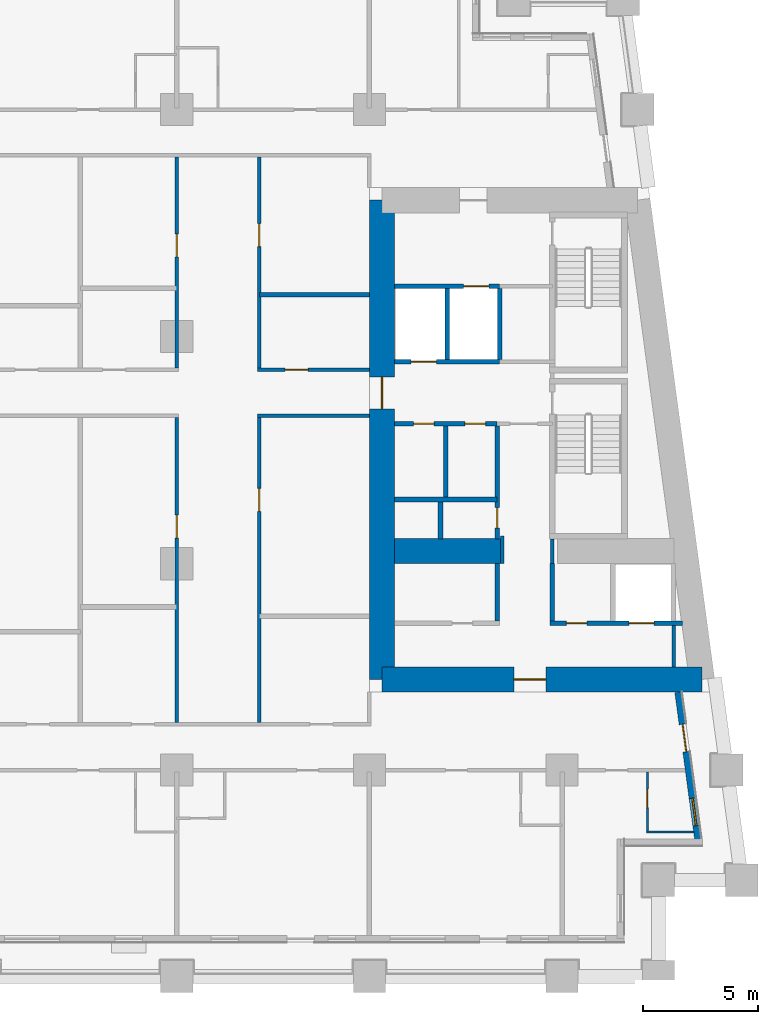
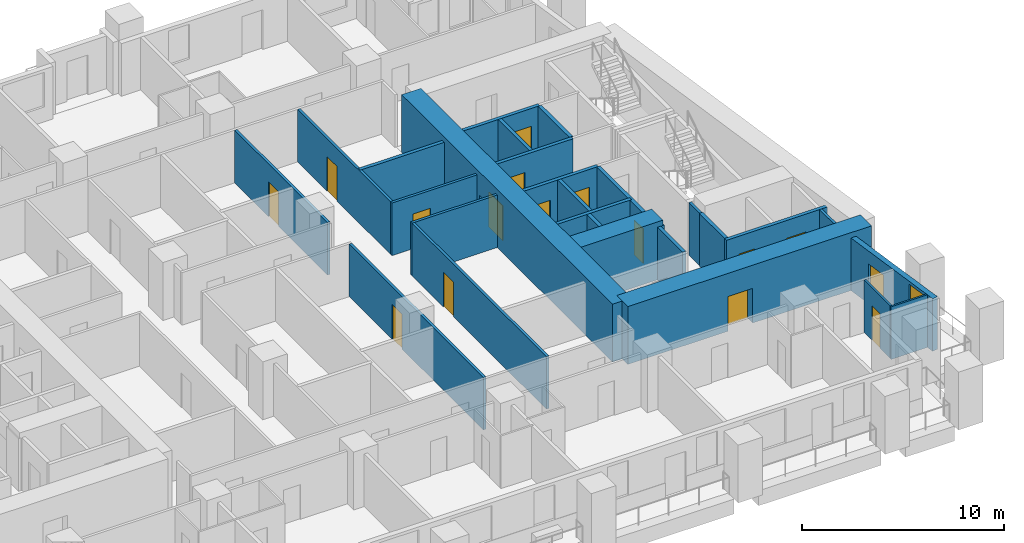
# One storey, part 5 of 13: 28 walls, 16 doors, 1 window, 17 openings.
"""IFC4 building model written with IfcOpenShell, lengths in metres."""

from ifc_helpers import new_model, si_unit, direction, frame, frame_2d, origin, place, context, subcontext, project, spatial, rectangle, extrude, material, layer, layer_set, type_object, element, fill, save


model = new_model("IFC4")

# Units and contexts
model_context = context("Model", 3, precision=1e-05, world=origin(), true_north=direction((0.0, 1.0)))
body_context = subcontext(model_context, "Body", "Model", "MODEL_VIEW")
ifc_project = project(units=[si_unit("LENGTHUNIT", "METRE"), si_unit("AREAUNIT", "SQUARE_METRE"), si_unit("VOLUMEUNIT", "CUBIC_METRE"), si_unit("PLANEANGLEUNIT", "RADIAN"), si_unit("MASSUNIT", "GRAM", prefix="KILO")], contexts=[model_context])

# Site, building, storey
site_placement = place(None, origin())
site = spatial("IfcSite", under=ifc_project, at=site_placement, CompositionType="ELEMENT")
building_placement = place(site_placement, origin())
building = spatial("IfcBuilding", under=site, at=building_placement, Name="Candeia Pilgrim Tower and Theatre", CompositionType="ELEMENT")
storey_placement = place(building_placement, frame((0.0, 0.0, 63.5)))
storey = spatial("IfcBuildingStorey", under=building, at=storey_placement, Name="L13", CompositionType="ELEMENT", Elevation=63.5)

# Wall, opening, door
ifc_material_1 = material(Name="Concrete C80/95", Category="concrete")
ifc_layer_1 = layer(ifc_material_1, 1.10009765625)
ifc_layer_set_1 = layer_set([ifc_layer_1], Name="Core wall 1100 C80/95")
wall_type_1 = type_object("IfcWallType", Name="Core wall 1100 C80/95", PredefinedType="SHEAR", material=ifc_layer_set_1)
wall_1_placement = place(storey_placement, frame((140.501708984375, 110.949951171875, 0.0), z_axis=(0.0, 0.0, 1.0), x_axis=(-1.0, 0.0, 0.0)))
wall_1 = element("IfcWall", 1, at=wall_1_placement, inside=storey, type_object=wall_type_1, Name="Core wall E3", PredefinedType="SHEAR", context=body_context, shape_type="SweptSolid", body=[
    extrude(rectangle(XDim=13.95166015625, YDim=1.10009765625, at=frame_2d((6.975830078125, 0.0))), origin(), (0.0, 0.0, 1.0), 3.5),
])
opening_1_placement = place(wall_1_placement, frame((6.80419921875, 0.0, 0.0)))
opening_1 = element("IfcOpeningElement", 2, at=opening_1_placement, cuts=wall_1, Name="Opening L13-D062", PredefinedType="OPENING", context=body_context, shape_type="SweptSolid", body=[
    extrude(rectangle(XDim=1.39990234375, YDim=2.10009765625, at=frame_2d((0.699951171875, 1.050048828125))), frame((0.0, 0.56005859375, 0.0), z_axis=(0.0, -1.0, 0.0), x_axis=(1.0, 0.0, 0.0)), (0.0, 0.0, 1.0), 1.1201171875),
])
ifc_material_2 = material(Name="Steel fire door set", Category="steel")
door_type_1 = type_object("IfcDoorType", Name="D-1400-FD60", OperationType="NOTDEFINED", PredefinedType="DOOR", material=ifc_material_2)
door_1_placement = place(opening_1_placement, origin())
door_1 = element("IfcDoor", 3, at=door_1_placement, inside=storey, type_object=door_type_1, Name="Door L13-D062", OperationType="SINGLE_SWING_LEFT", OverallHeight=2.10009765625, OverallWidth=1.39990234375, PredefinedType="DOOR", context=body_context, shape_type="SweptSolid", body=[
    extrude(rectangle(XDim=1.39990234375, YDim=2.10009765625, at=frame_2d((0.699951171875, 1.050048828125))), frame((0.0, 0.02490234375, 0.0), z_axis=(0.0, -1.0, 0.0), x_axis=(1.0, 0.0, 0.0)), (0.0, 0.0, 1.0), 0.050048828125),
])
fill(opening_1, door_1)

wall_2_placement = place(storey_placement, frame((126.550048828125, 110.949951171875, 0.0), z_axis=(0.0, 0.0, 1.0), x_axis=(0.0, 1.0, 0.0)))
wall_2 = element("IfcWall", 4, at=wall_2_placement, inside=storey, type_object=wall_type_1, Name="Core wall E4", PredefinedType="SHEAR", context=body_context, shape_type="SweptSolid", body=[
    extrude(rectangle(XDim=20.900146484375, YDim=1.10009765625, at=frame_2d((10.4501953125, 0.0))), origin(), (0.0, 0.0, 1.0), 3.5),
])
opening_2_placement = place(wall_2_placement, frame((11.800048828125, 0.0, 0.0)))
opening_2 = element("IfcOpeningElement", 5, at=opening_2_placement, cuts=wall_2, Name="Opening L13-D064", PredefinedType="OPENING", context=body_context, shape_type="SweptSolid", body=[
    extrude(rectangle(XDim=1.39990234375, YDim=2.10009765625, at=frame_2d((0.699951171875, 1.050048828125))), frame((0.0, 0.56005859375, 0.0), z_axis=(0.0, -1.0, 0.0), x_axis=(1.0, 0.0, 0.0)), (0.0, 0.0, 1.0), 1.1201171875),
])
door_2_placement = place(opening_2_placement, origin())
door_2 = element("IfcDoor", 6, at=door_2_placement, inside=storey, type_object=door_type_1, Name="Door L13-D064", OperationType="SINGLE_SWING_LEFT", OverallHeight=2.10009765625, OverallWidth=1.39990234375, PredefinedType="DOOR", context=body_context, shape_type="SweptSolid", body=[
    extrude(rectangle(XDim=1.39990234375, YDim=2.10009765625, at=frame_2d((0.699951171875, 1.050048828125))), frame((0.0, 0.02490234375, 0.0), z_axis=(0.0, -1.0, 0.0), x_axis=(1.0, 0.0, 0.0)), (0.0, 0.0, 1.0), 0.050048828125),
])
fill(opening_2, door_2)

# Wall
wall_3_placement = place(storey_placement, frame((127.10009765625, 116.550048828125, 0.0), z_axis=(0.0, 0.0, 1.0), x_axis=(1.0, 0.0, 0.0)))
element("IfcWall", 7, at=wall_3_placement, inside=storey, type_object=wall_type_1, Name="Core wall E5", PredefinedType="SHEAR", context=body_context, shape_type="SweptSolid", body=[
    extrude(rectangle(XDim=4.699951171875, YDim=1.10009765625, at=frame_2d((2.35009765625, 0.0))), origin(), (0.0, 0.0, 1.0), 3.5),
])

# Wall, openings, door, window
ifc_material_3 = material(Name="Ceramic block masonry", Category="masonry")
ifc_layer_2 = layer(ifc_material_3, 0.300048828125)
ifc_layer_set_2 = layer_set([ifc_layer_2], Name="EW1 glazing-line wall 300")
wall_type_2 = type_object("IfcWallType", Name="EW1 glazing-line wall 300", PredefinedType="SOLIDWALL", material=ifc_layer_set_2)
wall_4_placement = place(storey_placement, frame((140.34765625, 103.85009765625, 0.0), z_axis=(0.0, 0.0, 1.0), x_axis=(-0.133431549479, 0.991058031401, 0.0)))
wall_4 = element("IfcWall", 8, at=wall_4_placement, inside=storey, type_object=wall_type_2, Name="External wall L13-3.0", PredefinedType="SOLIDWALL", context=body_context, shape_type="SweptSolid", body=[
    extrude(rectangle(XDim=6.60888671875, YDim=0.300048828125, at=frame_2d((3.304443359375, 0.0))), origin(), (0.0, 0.0, 1.0), 3.179931640625),
])
opening_3_placement = place(wall_4_placement, frame((0.736572265625, 0.0, 0.89990234375)))
opening_3 = element("IfcOpeningElement", 9, at=opening_3_placement, cuts=wall_4, Name="Opening W-B", PredefinedType="OPENING", context=body_context, shape_type="SweptSolid", body=[
    extrude(rectangle(XDim=1.199951171875, YDim=2.10009765625, at=frame_2d((0.60009765625, 1.050048828125))), frame((0.0, 0.16015625, 0.0), z_axis=(0.0, -1.0, 0.0), x_axis=(1.0, 0.0, 0.0)), (0.0, 0.0, 1.0), 0.320068359375),
])
opening_4_placement = place(wall_4_placement, frame((3.990966796875, 0.0, 0.0)))
opening_4 = element("IfcOpeningElement", 10, at=opening_4_placement, cuts=wall_4, Name="Opening L13-ED149", PredefinedType="OPENING", context=body_context, shape_type="SweptSolid", body=[
    extrude(rectangle(XDim=1.199951171875, YDim=2.39990234375, at=frame_2d((0.60009765625, 1.199951171875))), frame((0.0, 0.16015625, 0.0), z_axis=(0.0, -1.0, 0.0), x_axis=(1.0, 0.0, 0.0)), (0.0, 0.0, 1.0), 0.320068359375),
])
ifc_material_4 = material(Name="Aluminium framed glazed door", Category="aluminium")
door_type_2 = type_object("IfcDoorType", Name="Loggia door 1200x2400", OperationType="DOUBLE_DOOR_SINGLE_SWING", PredefinedType="DOOR", material=ifc_material_4)
door_3_placement = place(opening_4_placement, origin())
door_3 = element("IfcDoor", 11, at=door_3_placement, inside=storey, type_object=door_type_2, Name="Loggia door L13-ED149", OperationType="DOUBLE_DOOR_SINGLE_SWING", OverallHeight=2.39990234375, OverallWidth=1.199951171875, PredefinedType="DOOR", context=body_context, shape_type="SweptSolid", body=[
    extrude(rectangle(XDim=1.199951171875, YDim=2.39990234375, at=frame_2d((0.60009765625, 1.199951171875))), frame((0.0, 0.02490234375, 0.0), z_axis=(0.0, -1.0, 0.0), x_axis=(1.0, 0.0, 0.0)), (0.0, 0.0, 1.0), 0.050048828125),
])
fill(opening_4, door_3)
ifc_material_5 = material(Name="Aluminium framed double glazing", Category="aluminium")
window_type = type_object("IfcWindowType", Name="W-B window 1200x2100", PartitioningType="SINGLE_PANEL", PredefinedType="WINDOW", material=ifc_material_5)
window_placement = place(opening_3_placement, origin())
window = element("IfcWindow", 12, at=window_placement, inside=storey, type_object=window_type, Name="Window W-B L13", OverallHeight=2.10009765625, OverallWidth=1.199951171875, PartitioningType="SINGLE_PANEL", PredefinedType="WINDOW", context=body_context, shape_type="SweptSolid", body=[
    extrude(rectangle(XDim=1.199951171875, YDim=2.10009765625, at=frame_2d((0.60009765625, 1.050048828125))), frame((0.0, 0.030029296875, 0.0), z_axis=(0.0, -1.0, 0.0), x_axis=(1.0, 0.0, 0.0)), (0.0, 0.0, 1.0), 0.06005859375),
])
fill(opening_3, window)

# Wall
ifc_material_6 = material(Name="Gypsum board partition on steel studs", Category="steel")
ifc_layer_3 = layer(ifc_material_6, 0.10009765625)
ifc_layer_set_3 = layer_set([ifc_layer_3], Name="PW-100 room partition")
wall_type_3 = type_object("IfcWallType", Name="PW-100 room partition", PredefinedType="PARTITIONING", material=ifc_layer_set_3)
wall_5_placement = place(storey_placement, frame((138.070068359375, 104.300048828125, 0.0), z_axis=(0.0, 0.0, 1.0), x_axis=(1.0, 0.0, 0.0)))
element("IfcWall", 13, at=wall_5_placement, inside=storey, type_object=wall_type_3, Name="Room partition L13-002", PredefinedType="PARTITIONING", context=body_context, shape_type="SweptSolid", body=[
    extrude(rectangle(XDim=2.07568359375, YDim=0.10009765625, at=frame_2d((1.037841796875, 0.0))), origin(), (0.0, 0.0, 1.0), 3.179931640625),
])

# Wall, opening, door
wall_6_placement = place(storey_placement, frame((138.1201171875, 104.35009765625, 0.0), z_axis=(0.0, 0.0, 1.0), x_axis=(0.0, 1.0, 0.0)))
wall_6 = element("IfcWall", 14, at=wall_6_placement, inside=storey, type_object=wall_type_3, Name="Room partition L13-125", PredefinedType="PARTITIONING", context=body_context, shape_type="SweptSolid", body=[
    extrude(rectangle(XDim=2.574951171875, YDim=0.10009765625, at=frame_2d((1.28759765625, 0.0))), origin(), (0.0, 0.0, 1.0), 3.179931640625),
])
opening_5_placement = place(wall_6_placement, frame((1.02001953125, 0.0, 0.0)))
opening_5 = element("IfcOpeningElement", 15, at=opening_5_placement, cuts=wall_6, Name="Opening L13-D029", PredefinedType="OPENING", context=body_context, shape_type="SweptSolid", body=[
    extrude(rectangle(XDim=0.800048828125, YDim=2.10009765625, at=frame_2d((0.39990234375, 1.050048828125))), frame((0.0, 0.06005859375, 0.0), z_axis=(0.0, -1.0, 0.0), x_axis=(1.0, 0.0, 0.0)), (0.0, 0.0, 1.0), 0.1201171875),
])
ifc_material_7 = material(Name="Timber door leaf", Category="wood")
door_type_3 = type_object("IfcDoorType", Name="D-800", OperationType="NOTDEFINED", PredefinedType="DOOR", material=ifc_material_7)
door_4_placement = place(opening_5_placement, origin())
door_4 = element("IfcDoor", 16, at=door_4_placement, inside=storey, type_object=door_type_3, Name="Door L13-D029", OperationType="SINGLE_SWING_RIGHT", OverallHeight=2.10009765625, OverallWidth=0.800048828125, PredefinedType="DOOR", context=body_context, shape_type="SweptSolid", body=[
    extrude(rectangle(XDim=0.800048828125, YDim=2.10009765625, at=frame_2d((0.39990234375, 1.050048828125))), frame((0.0, 0.02490234375, 0.0), z_axis=(0.0, -1.0, 0.0), x_axis=(1.0, 0.0, 0.0)), (0.0, 0.0, 1.0), 0.050048828125),
])
fill(opening_5, door_4)

# Walls
ifc_layer_4 = layer(ifc_material_6, 0.14990234375)
ifc_layer_set_4 = layer_set([ifc_layer_4], Name="PW-150 lobby wall")
wall_type_4 = type_object("IfcWallType", Name="PW-150 lobby wall", PredefinedType="PARTITIONING", material=ifc_layer_set_4)
wall_7_placement = place(storey_placement, frame((131.800048828125, 116.0, 0.0), z_axis=(0.0, 0.0, 1.0), x_axis=(0.0, 1.0, 0.0)))
element("IfcWall", 17, at=wall_7_placement, inside=storey, type_object=wall_type_4, Name="Lobby wall L13-113", PredefinedType="PARTITIONING", context=body_context, shape_type="SweptSolid", body=[
    extrude(rectangle(XDim=1.199951171875, YDim=0.14990234375, at=frame_2d((0.60009765625, 0.0))), origin(), (0.0, 0.0, 1.0), 3.179931640625),
])
wall_8_placement = place(storey_placement, frame((133.972900390625, 116.0, 0.0), z_axis=(0.0, 0.0, 1.0), x_axis=(0.0, 1.0, 0.0)))
element("IfcWall", 18, at=wall_8_placement, inside=storey, type_object=wall_type_4, Name="Lobby wall L13-117", PredefinedType="PARTITIONING", context=body_context, shape_type="SweptSolid", body=[
    extrude(rectangle(XDim=1.070068359375, YDim=0.14990234375, at=frame_2d((0.53515625, 0.0))), origin(), (0.0, 0.0, 1.0), 3.179931640625),
])
wall_9_placement = place(storey_placement, frame((139.27001953125, 111.5, 0.0), z_axis=(0.0, 0.0, 1.0), x_axis=(0.0, 1.0, 0.0)))
element("IfcWall", 19, at=wall_9_placement, inside=storey, type_object=wall_type_4, Name="Lobby wall L13-127", PredefinedType="PARTITIONING", context=body_context, shape_type="SweptSolid", body=[
    extrude(rectangle(XDim=1.800048828125, YDim=0.14990234375, at=frame_2d((0.89990234375, 0.0))), origin(), (0.0, 0.0, 1.0), 3.179931640625),
])
ifc_layer_5 = layer(ifc_material_6, 0.14990234375)
ifc_layer_set_5 = layer_set([ifc_layer_5], Name="PW-150 unit wall")
wall_type_5 = type_object("IfcWallType", Name="PW-150 unit wall", PredefinedType="PARTITIONING", material=ifc_layer_set_5)
wall_10_placement = place(storey_placement, frame((121.125, 122.449951171875, 0.0), z_axis=(0.0, 0.0, 1.0), x_axis=(1.0, 0.0, 0.0)))
element("IfcWall", 20, at=wall_10_placement, inside=storey, type_object=wall_type_5, Name="Unit wall L13-027", PredefinedType="PARTITIONING", context=body_context, shape_type="SweptSolid", body=[
    extrude(rectangle(XDim=4.875, YDim=0.14990234375, at=frame_2d((2.4375, 0.0))), origin(), (0.0, 0.0, 1.0), 3.179931640625),
])

# Wall, opening, door
wall_11_placement = place(storey_placement, frame((121.125, 124.449951171875, 0.0), z_axis=(0.0, 0.0, 1.0), x_axis=(1.0, 0.0, 0.0)))
wall_11 = element("IfcWall", 21, at=wall_11_placement, inside=storey, type_object=wall_type_5, Name="Unit wall L13-034", PredefinedType="PARTITIONING", context=body_context, shape_type="SweptSolid", body=[
    extrude(rectangle(XDim=4.875, YDim=0.14990234375, at=frame_2d((2.4375, 0.0))), origin(), (0.0, 0.0, 1.0), 3.179931640625),
])
opening_6_placement = place(wall_11_placement, frame((1.199951171875, 0.0, 0.0)))
opening_6 = element("IfcOpeningElement", 22, at=opening_6_placement, cuts=wall_11, Name="Opening L13-D057", PredefinedType="OPENING", context=body_context, shape_type="SweptSolid", body=[
    extrude(rectangle(XDim=1.0, YDim=2.10009765625, at=frame_2d((0.5, 1.050048828125))), frame((0.0, 0.0849609375, 0.0), z_axis=(0.0, -1.0, 0.0), x_axis=(1.0, 0.0, 0.0)), (0.0, 0.0, 1.0), 0.169921875),
])
door_type_4 = type_object("IfcDoorType", Name="D-1000-FD30S", OperationType="NOTDEFINED", PredefinedType="DOOR", material=ifc_material_2)
door_5_placement = place(opening_6_placement, origin())
door_5 = element("IfcDoor", 23, at=door_5_placement, inside=storey, type_object=door_type_4, Name="Door L13-D057", OperationType="SINGLE_SWING_RIGHT", OverallHeight=2.10009765625, OverallWidth=1.0, PredefinedType="DOOR", context=body_context, shape_type="SweptSolid", body=[
    extrude(rectangle(XDim=1.0, YDim=2.10009765625, at=frame_2d((0.5, 1.050048828125))), frame((0.0, 0.02490234375, 0.0), z_axis=(0.0, -1.0, 0.0), x_axis=(1.0, 0.0, 0.0)), (0.0, 0.0, 1.0), 0.050048828125),
])
fill(opening_6, door_5)

wall_12_placement = place(storey_placement, frame((117.60009765625, 109.074951171875, 0.0), z_axis=(0.0, 0.0, 1.0), x_axis=(0.0, 1.0, 0.0)))
wall_12 = element("IfcWall", 24, at=wall_12_placement, inside=storey, type_object=wall_type_5, Name="Unit wall L13-096", PredefinedType="PARTITIONING", context=body_context, shape_type="SweptSolid", body=[
    extrude(rectangle(XDim=13.300048828125, YDim=0.14990234375, at=frame_2d((6.64990234375, 0.0))), origin(), (0.0, 0.0, 1.0), 3.179931640625),
])
opening_7_placement = place(wall_12_placement, frame((8.0419921875, 0.0, 0.0)))
opening_7 = element("IfcOpeningElement", 25, at=opening_7_placement, cuts=wall_12, Name="Opening L13-D052", PredefinedType="OPENING", context=body_context, shape_type="SweptSolid", body=[
    extrude(rectangle(XDim=1.0, YDim=2.10009765625, at=frame_2d((0.5, 1.050048828125))), frame((0.0, 0.0849609375, 0.0), z_axis=(0.0, -1.0, 0.0), x_axis=(1.0, 0.0, 0.0)), (0.0, 0.0, 1.0), 0.169921875),
])
door_6_placement = place(opening_7_placement, origin())
door_6 = element("IfcDoor", 26, at=door_6_placement, inside=storey, type_object=door_type_4, Name="Door L13-D052", OperationType="SINGLE_SWING_LEFT", OverallHeight=2.10009765625, OverallWidth=1.0, PredefinedType="DOOR", context=body_context, shape_type="SweptSolid", body=[
    extrude(rectangle(XDim=1.0, YDim=2.10009765625, at=frame_2d((0.5, 1.050048828125))), frame((0.0, 0.02490234375, 0.0), z_axis=(0.0, -1.0, 0.0), x_axis=(1.0, 0.0, 0.0)), (0.0, 0.0, 1.0), 0.050048828125),
])
fill(opening_7, door_6)

wall_13_placement = place(storey_placement, frame((117.60009765625, 124.52490234375, 0.0), z_axis=(0.0, 0.0, 1.0), x_axis=(0.0, 1.0, 0.0)))
wall_13 = element("IfcWall", 27, at=wall_13_placement, inside=storey, type_object=wall_type_5, Name="Unit wall L13-097", PredefinedType="PARTITIONING", context=body_context, shape_type="SweptSolid", body=[
    extrude(rectangle(XDim=9.2001953125, YDim=0.14990234375, at=frame_2d((4.60009765625, 0.0))), origin(), (0.0, 0.0, 1.0), 3.179931640625),
])
opening_8_placement = place(wall_13_placement, frame((4.85205078125, 0.0, 0.0)))
opening_8 = element("IfcOpeningElement", 28, at=opening_8_placement, cuts=wall_13, Name="Opening L13-D054", PredefinedType="OPENING", context=body_context, shape_type="SweptSolid", body=[
    extrude(rectangle(XDim=1.0, YDim=2.10009765625, at=frame_2d((0.5, 1.050048828125))), frame((0.0, 0.0849609375, 0.0), z_axis=(0.0, -1.0, 0.0), x_axis=(1.0, 0.0, 0.0)), (0.0, 0.0, 1.0), 0.169921875),
])
door_7_placement = place(opening_8_placement, origin())
door_7 = element("IfcDoor", 29, at=door_7_placement, inside=storey, type_object=door_type_4, Name="Door L13-D054", OperationType="SINGLE_SWING_LEFT", OverallHeight=2.10009765625, OverallWidth=1.0, PredefinedType="DOOR", context=body_context, shape_type="SweptSolid", body=[
    extrude(rectangle(XDim=1.0, YDim=2.10009765625, at=frame_2d((0.5, 1.050048828125))), frame((0.0, 0.02490234375, 0.0), z_axis=(0.0, -1.0, 0.0), x_axis=(1.0, 0.0, 0.0)), (0.0, 0.0, 1.0), 0.050048828125),
])
fill(opening_8, door_7)

wall_14_placement = place(storey_placement, frame((121.199951171875, 109.074951171875, 0.0), z_axis=(0.0, 0.0, 1.0), x_axis=(0.0, 1.0, 0.0)))
wall_14 = element("IfcWall", 30, at=wall_14_placement, inside=storey, type_object=wall_type_5, Name="Unit wall L13-100", PredefinedType="PARTITIONING", context=body_context, shape_type="SweptSolid", body=[
    extrude(rectangle(XDim=13.300048828125, YDim=0.14990234375, at=frame_2d((6.64990234375, 0.0))), origin(), (0.0, 0.0, 1.0), 3.179931640625),
])
opening_9_placement = place(wall_14_placement, frame((9.2080078125, 0.0, 0.0)))
opening_9 = element("IfcOpeningElement", 31, at=opening_9_placement, cuts=wall_14, Name="Opening L13-D056", PredefinedType="OPENING", context=body_context, shape_type="SweptSolid", body=[
    extrude(rectangle(XDim=1.0, YDim=2.10009765625, at=frame_2d((0.5, 1.050048828125))), frame((0.0, 0.0849609375, 0.0), z_axis=(0.0, -1.0, 0.0), x_axis=(1.0, 0.0, 0.0)), (0.0, 0.0, 1.0), 0.169921875),
])
door_8_placement = place(opening_9_placement, origin())
door_8 = element("IfcDoor", 32, at=door_8_placement, inside=storey, type_object=door_type_4, Name="Door L13-D056", OperationType="SINGLE_SWING_LEFT", OverallHeight=2.10009765625, OverallWidth=1.0, PredefinedType="DOOR", context=body_context, shape_type="SweptSolid", body=[
    extrude(rectangle(XDim=1.0, YDim=2.10009765625, at=frame_2d((0.5, 1.050048828125))), frame((0.0, 0.02490234375, 0.0), z_axis=(0.0, -1.0, 0.0), x_axis=(1.0, 0.0, 0.0)), (0.0, 0.0, 1.0), 0.050048828125),
])
fill(opening_9, door_8)

wall_15_placement = place(storey_placement, frame((121.199951171875, 124.52490234375, 0.0), z_axis=(0.0, 0.0, 1.0), x_axis=(0.0, 1.0, 0.0)))
wall_15 = element("IfcWall", 33, at=wall_15_placement, inside=storey, type_object=wall_type_5, Name="Unit wall L13-101", PredefinedType="PARTITIONING", context=body_context, shape_type="SweptSolid", body=[
    extrude(rectangle(XDim=9.2001953125, YDim=0.14990234375, at=frame_2d((4.60009765625, 0.0))), origin(), (0.0, 0.0, 1.0), 3.179931640625),
])
opening_10_placement = place(wall_15_placement, frame((5.298095703125, 0.0, 0.0)))
opening_10 = element("IfcOpeningElement", 34, at=opening_10_placement, cuts=wall_15, Name="Opening L13-D058", PredefinedType="OPENING", context=body_context, shape_type="SweptSolid", body=[
    extrude(rectangle(XDim=1.0, YDim=2.10009765625, at=frame_2d((0.5, 1.050048828125))), frame((0.0, 0.0849609375, 0.0), z_axis=(0.0, -1.0, 0.0), x_axis=(1.0, 0.0, 0.0)), (0.0, 0.0, 1.0), 0.169921875),
])
door_9_placement = place(opening_10_placement, origin())
door_9 = element("IfcDoor", 35, at=door_9_placement, inside=storey, type_object=door_type_4, Name="Door L13-D058", OperationType="SINGLE_SWING_LEFT", OverallHeight=2.10009765625, OverallWidth=1.0, PredefinedType="DOOR", context=body_context, shape_type="SweptSolid", body=[
    extrude(rectangle(XDim=1.0, YDim=2.10009765625, at=frame_2d((0.5, 1.050048828125))), frame((0.0, 0.02490234375, 0.0), z_axis=(0.0, -1.0, 0.0), x_axis=(1.0, 0.0, 0.0)), (0.0, 0.0, 1.0), 0.050048828125),
])
fill(opening_10, door_9)

# Wall
ifc_layer_6 = layer(ifc_material_6, 0.199951171875)
ifc_layer_set_6 = layer_set([ifc_layer_6], Name="PW-200 party wall")
wall_type_6 = type_object("IfcWallType", Name="PW-200 party wall", PredefinedType="PARTITIONING", material=ifc_layer_set_6)
wall_16_placement = place(storey_placement, frame((121.199951171875, 127.722412109375, 0.0), z_axis=(0.0, 0.0, 1.0), x_axis=(1.0, 0.0, 0.0)))
element("IfcWall", 36, at=wall_16_placement, inside=storey, type_object=wall_type_6, Name="Party wall L13-040", PredefinedType="PARTITIONING", context=body_context, shape_type="SweptSolid", body=[
    extrude(rectangle(XDim=4.800048828125, YDim=0.199951171875, at=frame_2d((2.39990234375, 0.0))), origin(), (0.0, 0.0, 1.0), 3.179931640625),
])

# Wall, openings, doors
ifc_material_8 = material(Name="Concrete C40/50", Category="concrete")
ifc_layer_7 = layer(ifc_material_8, 0.199951171875)
ifc_layer_set_7 = layer_set([ifc_layer_7], Name="SW-200 shaft wall")
wall_type_7 = type_object("IfcWallType", Name="SW-200 shaft wall", PredefinedType="PARTITIONING", material=ifc_layer_set_7)
wall_17_placement = place(storey_placement, frame((133.873046875, 113.39990234375, 0.0), z_axis=(0.0, 0.0, 1.0), x_axis=(1.0, 0.0, 0.0)))
wall_17 = element("IfcWall", 37, at=wall_17_placement, inside=storey, type_object=wall_type_7, Name="Shaft wall L13-014", PredefinedType="PARTITIONING", context=body_context, shape_type="SweptSolid", body=[
    extrude(rectangle(XDim=5.77392578125, YDim=0.199951171875, at=frame_2d((2.886962890625, 0.0))), origin(), (0.0, 0.0, 1.0), 3.179931640625),
])
opening_11_placement = place(wall_17_placement, frame((3.43798828125, 0.0, 0.0)))
opening_11 = element("IfcOpeningElement", 38, at=opening_11_placement, cuts=wall_17, Name="Opening L13-LD08", PredefinedType="OPENING", context=body_context, shape_type="SweptSolid", body=[
    extrude(rectangle(XDim=1.10009765625, YDim=2.10009765625, at=frame_2d((0.550048828125, 1.050048828125))), frame((0.0, 0.10986328125, 0.0), z_axis=(0.0, -1.0, 0.0), x_axis=(1.0, 0.0, 0.0)), (0.0, 0.0, 1.0), 0.219970703125),
])
opening_12_placement = place(wall_17_placement, frame((0.7119140625, 0.0, 0.0)))
opening_12 = element("IfcOpeningElement", 39, at=opening_12_placement, cuts=wall_17, Name="Opening L13-D014", PredefinedType="OPENING", context=body_context, shape_type="SweptSolid", body=[
    extrude(rectangle(XDim=0.89990234375, YDim=2.10009765625, at=frame_2d((0.449951171875, 1.050048828125))), frame((0.0, 0.10986328125, 0.0), z_axis=(0.0, -1.0, 0.0), x_axis=(1.0, 0.0, 0.0)), (0.0, 0.0, 1.0), 0.219970703125),
])
door_type_5 = type_object("IfcDoorType", Name="D-900-FD60", OperationType="NOTDEFINED", PredefinedType="DOOR", material=ifc_material_2)
door_10_placement = place(opening_12_placement, origin())
door_10 = element("IfcDoor", 40, at=door_10_placement, inside=storey, type_object=door_type_5, Name="Door L13-D014", OperationType="SINGLE_SWING_LEFT", OverallHeight=2.10009765625, OverallWidth=0.89990234375, PredefinedType="DOOR", context=body_context, shape_type="SweptSolid", body=[
    extrude(rectangle(XDim=0.89990234375, YDim=2.10009765625, at=frame_2d((0.449951171875, 1.050048828125))), frame((0.0, 0.02490234375, 0.0), z_axis=(0.0, -1.0, 0.0), x_axis=(1.0, 0.0, 0.0)), (0.0, 0.0, 1.0), 0.050048828125),
])
fill(opening_12, door_10)
ifc_material_9 = material(Name="Glazed aluminium landing door", Category="aluminium")
door_type_6 = type_object("IfcDoorType", Name="LD-1100-EI120", OperationType="SLIDING_TO_LEFT", PredefinedType="DOOR", material=ifc_material_9)
door_11_placement = place(opening_11_placement, origin())
door_11 = element("IfcDoor", 41, at=door_11_placement, inside=storey, type_object=door_type_6, Name="Landing door 08 L13", OperationType="SLIDING_TO_LEFT", OverallHeight=2.10009765625, OverallWidth=1.10009765625, PredefinedType="DOOR", context=body_context, shape_type="SweptSolid", body=[
    extrude(rectangle(XDim=1.10009765625, YDim=2.10009765625, at=frame_2d((0.550048828125, 1.050048828125))), frame((0.0, 0.02490234375, 0.0), z_axis=(0.0, -1.0, 0.0), x_axis=(1.0, 0.0, 0.0)), (0.0, 0.0, 1.0), 0.050048828125),
])
fill(opening_11, door_11)

# Wall
wall_18_placement = place(storey_placement, frame((127.10009765625, 118.800048828125, 0.0), z_axis=(0.0, 0.0, 1.0), x_axis=(1.0, 0.0, 0.0)))
element("IfcWall", 42, at=wall_18_placement, inside=storey, type_object=wall_type_7, Name="Shaft wall L13-020", PredefinedType="PARTITIONING", context=body_context, shape_type="SweptSolid", body=[
    extrude(rectangle(XDim=4.472900390625, YDim=0.199951171875, at=frame_2d((2.236328125, 0.0))), origin(), (0.0, 0.0, 1.0), 3.179931640625),
])

# Wall, openings, doors
wall_19_placement = place(storey_placement, frame((127.10009765625, 122.10009765625, 0.0), z_axis=(0.0, 0.0, 1.0), x_axis=(1.0, 0.0, 0.0)))
wall_19 = element("IfcWall", 43, at=wall_19_placement, inside=storey, type_object=wall_type_7, Name="Shaft wall L13-022", PredefinedType="PARTITIONING", context=body_context, shape_type="SweptSolid", body=[
    extrude(rectangle(XDim=4.472900390625, YDim=0.199951171875, at=frame_2d((2.236328125, 0.0))), origin(), (0.0, 0.0, 1.0), 3.179931640625),
])
opening_13_placement = place(wall_19_placement, frame((3.06396484375, 0.0, 0.0)))
opening_13 = element("IfcOpeningElement", 44, at=opening_13_placement, cuts=wall_19, Name="Opening L13-D009", PredefinedType="OPENING", context=body_context, shape_type="SweptSolid", body=[
    extrude(rectangle(XDim=0.89990234375, YDim=2.10009765625, at=frame_2d((0.449951171875, 1.050048828125))), frame((0.0, 0.10986328125, 0.0), z_axis=(0.0, -1.0, 0.0), x_axis=(1.0, 0.0, 0.0)), (0.0, 0.0, 1.0), 0.219970703125),
])
opening_14_placement = place(wall_19_placement, frame((0.826904296875, 0.0, 0.0)))
opening_14 = element("IfcOpeningElement", 45, at=opening_14_placement, cuts=wall_19, Name="Opening L13-D010", PredefinedType="OPENING", context=body_context, shape_type="SweptSolid", body=[
    extrude(rectangle(XDim=0.89990234375, YDim=2.10009765625, at=frame_2d((0.449951171875, 1.050048828125))), frame((0.0, 0.10986328125, 0.0), z_axis=(0.0, -1.0, 0.0), x_axis=(1.0, 0.0, 0.0)), (0.0, 0.0, 1.0), 0.219970703125),
])
door_12_placement = place(opening_13_placement, origin())
door_12 = element("IfcDoor", 46, at=door_12_placement, inside=storey, type_object=door_type_5, Name="Door L13-D009", OperationType="SINGLE_SWING_LEFT", OverallHeight=2.10009765625, OverallWidth=0.89990234375, PredefinedType="DOOR", context=body_context, shape_type="SweptSolid", body=[
    extrude(rectangle(XDim=0.89990234375, YDim=2.10009765625, at=frame_2d((0.449951171875, 1.050048828125))), frame((0.0, 0.02490234375, 0.0), z_axis=(0.0, -1.0, 0.0), x_axis=(1.0, 0.0, 0.0)), (0.0, 0.0, 1.0), 0.050048828125),
])
fill(opening_13, door_12)
door_13_placement = place(opening_14_placement, origin())
door_13 = element("IfcDoor", 47, at=door_13_placement, inside=storey, type_object=door_type_5, Name="Door L13-D010", OperationType="SINGLE_SWING_RIGHT", OverallHeight=2.10009765625, OverallWidth=0.89990234375, PredefinedType="DOOR", context=body_context, shape_type="SweptSolid", body=[
    extrude(rectangle(XDim=0.89990234375, YDim=2.10009765625, at=frame_2d((0.449951171875, 1.050048828125))), frame((0.0, 0.02490234375, 0.0), z_axis=(0.0, -1.0, 0.0), x_axis=(1.0, 0.0, 0.0)), (0.0, 0.0, 1.0), 0.050048828125),
])
fill(opening_14, door_13)

# Wall, opening, door
wall_20_placement = place(storey_placement, frame((127.10009765625, 124.800048828125, 0.0), z_axis=(0.0, 0.0, 1.0), x_axis=(1.0, 0.0, 0.0)))
wall_20 = element("IfcWall", 48, at=wall_20_placement, inside=storey, type_object=wall_type_7, Name="Shaft wall L13-036", PredefinedType="PARTITIONING", context=body_context, shape_type="SweptSolid", body=[
    extrude(rectangle(XDim=4.581787109375, YDim=0.199951171875, at=frame_2d((2.291015625, 0.0))), origin(), (0.0, 0.0, 1.0), 3.179931640625),
])
opening_15_placement = place(wall_20_placement, frame((0.718017578125, 0.0, 0.0)))
opening_15 = element("IfcOpeningElement", 49, at=opening_15_placement, cuts=wall_20, Name="Opening L13-LD07", PredefinedType="OPENING", context=body_context, shape_type="SweptSolid", body=[
    extrude(rectangle(XDim=1.10009765625, YDim=2.10009765625, at=frame_2d((0.550048828125, 1.050048828125))), frame((0.0, 0.10986328125, 0.0), z_axis=(0.0, -1.0, 0.0), x_axis=(1.0, 0.0, 0.0)), (0.0, 0.0, 1.0), 0.219970703125),
])
door_14_placement = place(opening_15_placement, origin())
door_14 = element("IfcDoor", 50, at=door_14_placement, inside=storey, type_object=door_type_6, Name="Landing door 07 L13", OperationType="SLIDING_TO_LEFT", OverallHeight=2.10009765625, OverallWidth=1.10009765625, PredefinedType="DOOR", context=body_context, shape_type="SweptSolid", body=[
    extrude(rectangle(XDim=1.10009765625, YDim=2.10009765625, at=frame_2d((0.550048828125, 1.050048828125))), frame((0.0, 0.02490234375, 0.0), z_axis=(0.0, -1.0, 0.0), x_axis=(1.0, 0.0, 0.0)), (0.0, 0.0, 1.0), 0.050048828125),
])
fill(opening_15, door_14)

wall_21_placement = place(storey_placement, frame((127.10009765625, 128.10009765625, 0.0), z_axis=(0.0, 0.0, 1.0), x_axis=(1.0, 0.0, 0.0)))
wall_21 = element("IfcWall", 51, at=wall_21_placement, inside=storey, type_object=wall_type_7, Name="Shaft wall L13-043", PredefinedType="PARTITIONING", context=body_context, shape_type="SweptSolid", body=[
    extrude(rectangle(XDim=4.581787109375, YDim=0.199951171875, at=frame_2d((2.291015625, 0.0))), origin(), (0.0, 0.0, 1.0), 3.179931640625),
])
opening_16_placement = place(wall_21_placement, frame((3.009033203125, 0.0, 0.0)))
opening_16 = element("IfcOpeningElement", 52, at=opening_16_placement, cuts=wall_21, Name="Opening L13-LD06", PredefinedType="OPENING", context=body_context, shape_type="SweptSolid", body=[
    extrude(rectangle(XDim=1.10009765625, YDim=2.10009765625, at=frame_2d((0.550048828125, 1.050048828125))), frame((0.0, 0.10986328125, 0.0), z_axis=(0.0, -1.0, 0.0), x_axis=(1.0, 0.0, 0.0)), (0.0, 0.0, 1.0), 0.219970703125),
])
door_15_placement = place(opening_16_placement, origin())
door_15 = element("IfcDoor", 53, at=door_15_placement, inside=storey, type_object=door_type_6, Name="Landing door 06 L13", OperationType="SLIDING_TO_LEFT", OverallHeight=2.10009765625, OverallWidth=1.10009765625, PredefinedType="DOOR", context=body_context, shape_type="SweptSolid", body=[
    extrude(rectangle(XDim=1.10009765625, YDim=2.10009765625, at=frame_2d((0.550048828125, 1.050048828125))), frame((0.0, 0.02490234375, 0.0), z_axis=(0.0, -1.0, 0.0), x_axis=(1.0, 0.0, 0.0)), (0.0, 0.0, 1.0), 0.050048828125),
])
fill(opening_16, door_15)

# Walls
wall_22_placement = place(storey_placement, frame((129.10009765625, 117.070068359375, 0.0), z_axis=(0.0, 0.0, 1.0), x_axis=(0.0, 1.0, 0.0)))
element("IfcWall", 54, at=wall_22_placement, inside=storey, type_object=wall_type_7, Name="Shaft wall L13-106", PredefinedType="PARTITIONING", context=body_context, shape_type="SweptSolid", body=[
    extrude(rectangle(XDim=1.6298828125, YDim=0.199951171875, at=frame_2d((0.81494140625, 0.0))), origin(), (0.0, 0.0, 1.0), 3.179931640625),
])
for number, where, z_axis, x_axis, name in (
    (55, (129.33642578125, 118.89990234375, 0.0), (0.0, 0.0, 1.0), (0.0, 1.0, 0.0), "Shaft wall L13-107"),
    (56, (129.39111328125, 124.89990234375, 0.0), (0.0, 0.0, 1.0), (0.0, 1.0, 0.0), "Shaft wall L13-108"),
):
    element("IfcWall", number, at=place(storey_placement, frame(where, z_axis=z_axis, x_axis=x_axis)), inside=storey, type_object=wall_type_7, Name=name, PredefinedType="PARTITIONING", context=body_context, shape_type="SweptSolid", body=[
        extrude(rectangle(XDim=3.10009765625, YDim=0.199951171875, at=frame_2d((1.550048828125, 0.0))), origin(), (0.0, 0.0, 1.0), 3.179931640625),
    ])
wall_23_placement = place(storey_placement, frame((131.572998046875, 113.5, 0.0), z_axis=(0.0, 0.0, 1.0), x_axis=(0.0, 1.0, 0.0)))
element("IfcWall", 57, at=wall_23_placement, inside=storey, type_object=wall_type_7, Name="Shaft wall L13-110", PredefinedType="PARTITIONING", context=body_context, shape_type="SweptSolid", body=[
    extrude(rectangle(XDim=2.5, YDim=0.199951171875, at=frame_2d((1.25, 0.0))), origin(), (0.0, 0.0, 1.0), 3.179931640625),
])

# Wall, opening, door
wall_24_placement = place(storey_placement, frame((131.572998046875, 117.070068359375, 0.0), z_axis=(0.0, 0.0, 1.0), x_axis=(0.0, 1.0, 0.0)))
wall_24 = element("IfcWall", 58, at=wall_24_placement, inside=storey, type_object=wall_type_7, Name="Shaft wall L13-111", PredefinedType="PARTITIONING", context=body_context, shape_type="SweptSolid", body=[
    extrude(rectangle(XDim=4.929931640625, YDim=0.199951171875, at=frame_2d((2.46484375, 0.0))), origin(), (0.0, 0.0, 1.0), 3.179931640625),
])
opening_17_placement = place(wall_24_placement, frame((0.47998046875, 0.0, 0.0)))
opening_17 = element("IfcOpeningElement", 59, at=opening_17_placement, cuts=wall_24, Name="Opening L13-D013", PredefinedType="OPENING", context=body_context, shape_type="SweptSolid", body=[
    extrude(rectangle(XDim=0.89990234375, YDim=2.10009765625, at=frame_2d((0.449951171875, 1.050048828125))), frame((0.0, 0.10986328125, 0.0), z_axis=(0.0, -1.0, 0.0), x_axis=(1.0, 0.0, 0.0)), (0.0, 0.0, 1.0), 0.219970703125),
])
door_16_placement = place(opening_17_placement, origin())
door_16 = element("IfcDoor", 60, at=door_16_placement, inside=storey, type_object=door_type_5, Name="Door L13-D013", OperationType="SINGLE_SWING_LEFT", OverallHeight=2.10009765625, OverallWidth=0.89990234375, PredefinedType="DOOR", context=body_context, shape_type="SweptSolid", body=[
    extrude(rectangle(XDim=0.89990234375, YDim=2.10009765625, at=frame_2d((0.449951171875, 1.050048828125))), frame((0.0, 0.02490234375, 0.0), z_axis=(0.0, -1.0, 0.0), x_axis=(1.0, 0.0, 0.0)), (0.0, 0.0, 1.0), 0.050048828125),
])
fill(opening_17, door_16)

# Walls
wall_25_placement = place(storey_placement, frame((131.681884765625, 124.89990234375, 0.0), z_axis=(0.0, 0.0, 1.0), x_axis=(0.0, 1.0, 0.0)))
element("IfcWall", 61, at=wall_25_placement, inside=storey, type_object=wall_type_7, Name="Shaft wall L13-112", PredefinedType="PARTITIONING", context=body_context, shape_type="SweptSolid", body=[
    extrude(rectangle(XDim=3.10009765625, YDim=0.199951171875, at=frame_2d((1.550048828125, 0.0))), origin(), (0.0, 0.0, 1.0), 3.179931640625),
])
wall_26_placement = place(storey_placement, frame((133.972900390625, 113.5, 0.0), z_axis=(0.0, 0.0, 1.0), x_axis=(0.0, 1.0, 0.0)))
element("IfcWall", 62, at=wall_26_placement, inside=storey, type_object=wall_type_7, Name="Shaft wall L13-116", PredefinedType="PARTITIONING", context=body_context, shape_type="SweptSolid", body=[
    extrude(rectangle(XDim=2.5, YDim=0.199951171875, at=frame_2d((1.25, 0.0))), origin(), (0.0, 0.0, 1.0), 3.179931640625),
])

save(model, "model.ifc")
